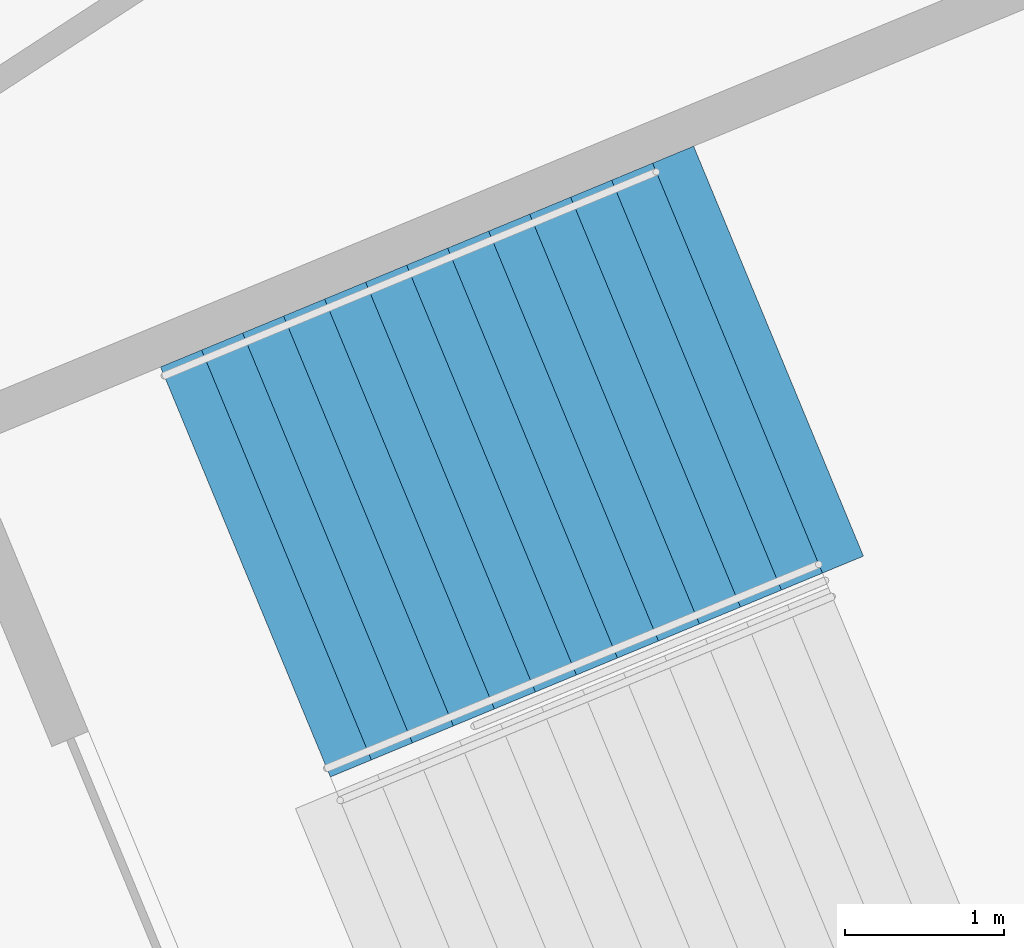
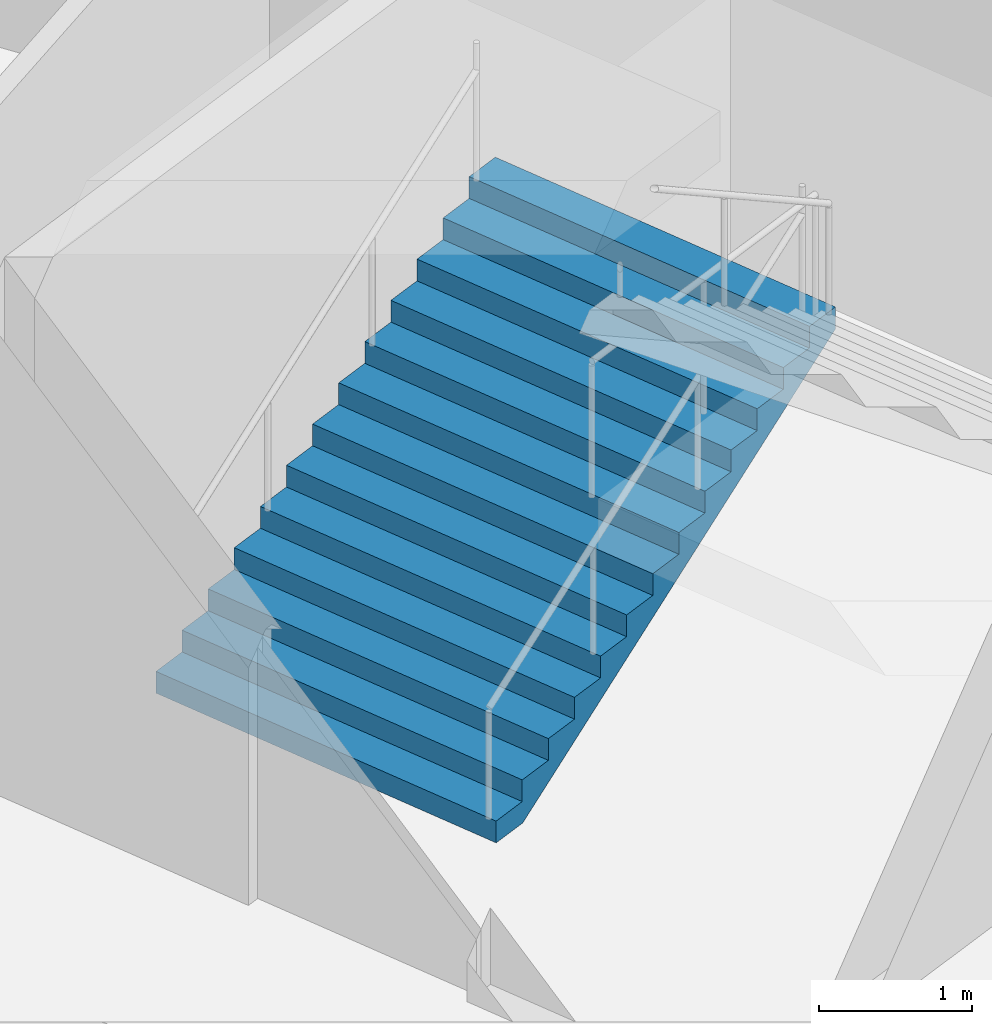
# One storey, part 148 of 175: 1 stair flight, 1 element without a shape of its own.
"""IFC4 building model written with IfcOpenShell, lengths in metres."""

from ifc_helpers import new_model, si_unit, direction, frame, origin, place, context, subcontext, project, spatial, faceted_brep, material, type_object, element, aggregate, save


model = new_model("IFC4")

# Units and contexts
model_context = context("Model", 3, precision=1e-05, world=origin(), true_north=direction((0.0, 1.0)))
body_context = subcontext(model_context, "Body", "Model", "MODEL_VIEW")
ifc_project = project(units=[si_unit("LENGTHUNIT", "METRE"), si_unit("AREAUNIT", "SQUARE_METRE"), si_unit("VOLUMEUNIT", "CUBIC_METRE"), si_unit("PLANEANGLEUNIT", "RADIAN"), si_unit("MASSUNIT", "GRAM", prefix="KILO")], contexts=[model_context])

# Site, building, storey
site_placement = place(None, origin())
site = spatial("IfcSite", under=ifc_project, at=site_placement, CompositionType="ELEMENT")
building_placement = place(site_placement, origin())
building = spatial("IfcBuilding", under=site, at=building_placement, Name="Ogive Plaza Stadium", CompositionType="ELEMENT")
storey_placement = place(building_placement, origin())
storey = spatial("IfcBuildingStorey", under=building, at=storey_placement, Name="L00", CompositionType="ELEMENT", Elevation=0.0)

# Stair, stair flight
ifc_material_1 = material(Name="Concrete C40/50", Category="concrete")
stair_type = type_object("IfcStairType", Name="Exit stair", PredefinedType="STRAIGHT_RUN_STAIR", material=ifc_material_1)
stair_placement = place(storey_placement, origin())
stair = element("IfcStair", 1, at=stair_placement, inside=storey, type_object=stair_type, Name="Exit stair ST40B L00 to L01", PredefinedType="STRAIGHT_RUN_STAIR")
ifc_material_2 = material(Name="Concrete C40/50", Category="concrete")
stair_flight_type = type_object("IfcStairFlightType", Name="Exit stair flight", PredefinedType="STRAIGHT", material=ifc_material_2)
stair_flight_placement = place(storey_placement, frame((71.432861328125, 72.794921875, 0.0), z_axis=(0.0, 0.0, 1.0), x_axis=(0.923879532511, 0.382683432365, 0.0)))
stair_flight = element("IfcStairFlight", 2, at=stair_flight_placement, type_object=stair_flight_type, Name="ST40B flight 1", NumberOfRisers=13, NumberOfTreads=12, PredefinedType="STRAIGHT", RiserHeight=0.173076923, TreadLength=0.28, context=body_context, shape_type="Brep", body=[
    faceted_brep([(0.28515625, -1.39990234375, 0.0), (3.639892578125, -1.39990234375, 2.07373046875), (3.639892578125, -1.39990234375, 2.25), (3.360107421875, -1.39990234375, 2.25), (3.360107421875, -1.39990234375, 2.076904296875), (3.080078125, -1.39990234375, 2.076904296875), (3.080078125, -1.39990234375, 1.90380859375), (2.800048828125, -1.39990234375, 1.90380859375), (2.800048828125, -1.39990234375, 1.730712890625), (2.52001953125, -1.39990234375, 1.730712890625), (2.52001953125, -1.39990234375, 1.5576171875), (2.239990234375, -1.39990234375, 1.5576171875), (2.239990234375, -1.39990234375, 1.384521484375), (1.9599609375, -1.39990234375, 1.384521484375), (1.9599609375, -1.39990234375, 1.21142578125), (1.679931640625, -1.39990234375, 1.21142578125), (1.679931640625, -1.39990234375, 1.03857421875), (1.39990234375, -1.39990234375, 1.03857421875), (1.39990234375, -1.39990234375, 0.865478515625), (1.1201171875, -1.39990234375, 0.865478515625), (1.1201171875, -1.39990234375, 0.6923828125), (0.840087890625, -1.39990234375, 0.6923828125), (0.840087890625, -1.39990234375, 0.519287109375), (0.56005859375, -1.39990234375, 0.519287109375), (0.56005859375, -1.39990234375, 0.34619140625), (0.280029296875, -1.39990234375, 0.34619140625), (0.280029296875, -1.39990234375, 0.173095703125), (0.0, -1.39990234375, 0.173095703125), (0.0, -1.39990234375, 0.0), (0.0, 1.39990234375, 0.0), (0.0, 1.39990234375, 0.173095703125), (0.280029296875, 1.39990234375, 0.173095703125), (0.280029296875, 1.39990234375, 0.34619140625), (0.56005859375, 1.39990234375, 0.34619140625), (0.56005859375, 1.39990234375, 0.519287109375), (0.840087890625, 1.39990234375, 0.519287109375), (0.840087890625, 1.39990234375, 0.6923828125), (1.1201171875, 1.39990234375, 0.6923828125), (1.1201171875, 1.39990234375, 0.865478515625), (1.39990234375, 1.39990234375, 0.865478515625), (1.39990234375, 1.39990234375, 1.03857421875), (1.679931640625, 1.39990234375, 1.03857421875), (1.679931640625, 1.39990234375, 1.21142578125), (1.9599609375, 1.39990234375, 1.21142578125), (1.9599609375, 1.39990234375, 1.384521484375), (2.239990234375, 1.39990234375, 1.384521484375), (2.239990234375, 1.39990234375, 1.5576171875), (2.52001953125, 1.39990234375, 1.5576171875), (2.52001953125, 1.39990234375, 1.730712890625), (2.800048828125, 1.39990234375, 1.730712890625), (2.800048828125, 1.39990234375, 1.90380859375), (3.080078125, 1.39990234375, 1.90380859375), (3.080078125, 1.39990234375, 2.076904296875), (3.360107421875, 1.39990234375, 2.076904296875), (3.360107421875, 1.39990234375, 2.25), (3.639892578125, 1.39990234375, 2.25), (3.639892578125, 1.39990234375, 2.07373046875), (0.28515625, 1.39990234375, 0.0), (0.28515625, -1.0888671875, 0.0), (3.639892578125, -1.0888671875, 2.07373046875), (0.28515625, -0.77783203125, 0.0), (3.639892578125, -0.77783203125, 2.07373046875), (0.28515625, -0.466796875, 0.0), (3.639892578125, -0.466796875, 2.07373046875), (0.28515625, -0.155517578125, 0.0), (3.639892578125, -0.155517578125, 2.07373046875), (0.28515625, 0.155517578125, 0.0), (3.639892578125, 0.155517578125, 2.07373046875), (0.28515625, 0.466796875, 0.0), (3.639892578125, 0.466796875, 2.07373046875), (0.28515625, 0.77783203125, 0.0), (3.639892578125, 0.77783203125, 2.07373046875), (0.28515625, 1.0888671875, 0.0), (3.639892578125, 1.0888671875, 2.07373046875), (3.639892578125, -1.0888671875, 2.25), (3.639892578125, -0.77783203125, 2.25), (3.639892578125, -0.466796875, 2.25), (3.639892578125, -0.155517578125, 2.25), (3.639892578125, 0.155517578125, 2.25), (3.639892578125, 0.466796875, 2.25), (3.639892578125, 0.77783203125, 2.25), (3.639892578125, 1.0888671875, 2.25), (3.360107421875, -1.0888671875, 2.25), (3.360107421875, -0.77783203125, 2.25), (3.360107421875, -0.466796875, 2.25), (3.360107421875, -0.155517578125, 2.25), (3.360107421875, 0.155517578125, 2.25), (3.360107421875, 0.466796875, 2.25), (3.360107421875, 0.77783203125, 2.25), (3.360107421875, 1.0888671875, 2.25), (3.360107421875, -1.0888671875, 2.076904296875), (3.360107421875, -0.77783203125, 2.076904296875), (3.360107421875, -0.466796875, 2.076904296875), (3.360107421875, -0.155517578125, 2.076904296875), (3.360107421875, 0.155517578125, 2.076904296875), (3.360107421875, 0.466796875, 2.076904296875), (3.360107421875, 0.77783203125, 2.076904296875), (3.360107421875, 1.0888671875, 2.076904296875), (3.080078125, -1.0888671875, 2.076904296875), (3.080078125, -0.77783203125, 2.076904296875), (3.080078125, -0.466796875, 2.076904296875), (3.080078125, -0.155517578125, 2.076904296875), (3.080078125, 0.155517578125, 2.076904296875), (3.080078125, 0.466796875, 2.076904296875), (3.080078125, 0.77783203125, 2.076904296875), (3.080078125, 1.0888671875, 2.076904296875), (3.080078125, -1.0888671875, 1.90380859375), (3.080078125, -0.77783203125, 1.90380859375), (3.080078125, -0.466796875, 1.90380859375), (3.080078125, -0.155517578125, 1.90380859375), (3.080078125, 0.155517578125, 1.90380859375), (3.080078125, 0.466796875, 1.90380859375), (3.080078125, 0.77783203125, 1.90380859375), (3.080078125, 1.0888671875, 1.90380859375), (2.800048828125, -1.0888671875, 1.90380859375), (2.800048828125, -0.77783203125, 1.90380859375), (2.800048828125, -0.466796875, 1.90380859375), (2.800048828125, -0.155517578125, 1.90380859375), (2.800048828125, 0.155517578125, 1.90380859375), (2.800048828125, 0.466796875, 1.90380859375), (2.800048828125, 0.77783203125, 1.90380859375), (2.800048828125, 1.0888671875, 1.90380859375), (2.800048828125, -1.0888671875, 1.730712890625), (2.800048828125, -0.77783203125, 1.730712890625), (2.800048828125, -0.466796875, 1.730712890625), (2.800048828125, -0.155517578125, 1.730712890625), (2.800048828125, 0.155517578125, 1.730712890625), (2.800048828125, 0.466796875, 1.730712890625), (2.800048828125, 0.77783203125, 1.730712890625), (2.800048828125, 1.0888671875, 1.730712890625), (2.52001953125, -1.0888671875, 1.730712890625), (2.52001953125, -0.77783203125, 1.730712890625), (2.52001953125, -0.466796875, 1.730712890625), (2.52001953125, -0.155517578125, 1.730712890625), (2.52001953125, 0.155517578125, 1.730712890625), (2.52001953125, 0.466796875, 1.730712890625), (2.52001953125, 0.77783203125, 1.730712890625), (2.52001953125, 1.0888671875, 1.730712890625), (2.52001953125, -1.0888671875, 1.5576171875), (2.52001953125, -0.77783203125, 1.5576171875), (2.52001953125, -0.466796875, 1.5576171875), (2.52001953125, -0.155517578125, 1.5576171875), (2.52001953125, 0.155517578125, 1.5576171875), (2.52001953125, 0.466796875, 1.5576171875), (2.52001953125, 0.77783203125, 1.5576171875), (2.52001953125, 1.0888671875, 1.5576171875), (2.239990234375, -1.0888671875, 1.5576171875), (2.239990234375, -0.77783203125, 1.5576171875), (2.239990234375, -0.466796875, 1.5576171875), (2.239990234375, -0.155517578125, 1.5576171875), (2.239990234375, 0.155517578125, 1.5576171875), (2.239990234375, 0.466796875, 1.5576171875), (2.239990234375, 0.77783203125, 1.5576171875), (2.239990234375, 1.0888671875, 1.5576171875), (2.239990234375, -1.0888671875, 1.384521484375), (2.239990234375, -0.77783203125, 1.384521484375), (2.239990234375, -0.466796875, 1.384521484375), (2.239990234375, -0.155517578125, 1.384521484375), (2.239990234375, 0.155517578125, 1.384521484375), (2.239990234375, 0.466796875, 1.384521484375), (2.239990234375, 0.77783203125, 1.384521484375), (2.239990234375, 1.0888671875, 1.384521484375), (1.9599609375, -1.0888671875, 1.384521484375), (1.9599609375, -0.77783203125, 1.384521484375), (1.9599609375, -0.466796875, 1.384521484375), (1.9599609375, -0.155517578125, 1.384521484375), (1.9599609375, 0.155517578125, 1.384521484375), (1.9599609375, 0.466796875, 1.384521484375), (1.9599609375, 0.77783203125, 1.384521484375), (1.9599609375, 1.0888671875, 1.384521484375), (1.9599609375, -1.0888671875, 1.21142578125), (1.9599609375, -0.77783203125, 1.21142578125), (1.9599609375, -0.466796875, 1.21142578125), (1.9599609375, -0.155517578125, 1.21142578125), (1.9599609375, 0.155517578125, 1.21142578125), (1.9599609375, 0.466796875, 1.21142578125), (1.9599609375, 0.77783203125, 1.21142578125), (1.9599609375, 1.0888671875, 1.21142578125), (1.679931640625, -1.0888671875, 1.21142578125), (1.679931640625, -0.77783203125, 1.21142578125), (1.679931640625, -0.466796875, 1.21142578125), (1.679931640625, -0.155517578125, 1.21142578125), (1.679931640625, 0.155517578125, 1.21142578125), (1.679931640625, 0.466796875, 1.21142578125), (1.679931640625, 0.77783203125, 1.21142578125), (1.679931640625, 1.0888671875, 1.21142578125), (1.679931640625, -1.0888671875, 1.03857421875), (1.679931640625, -0.77783203125, 1.03857421875), (1.679931640625, -0.466796875, 1.03857421875), (1.679931640625, -0.155517578125, 1.03857421875), (1.679931640625, 0.155517578125, 1.03857421875), (1.679931640625, 0.466796875, 1.03857421875), (1.679931640625, 0.77783203125, 1.03857421875), (1.679931640625, 1.0888671875, 1.03857421875), (1.39990234375, -1.0888671875, 1.03857421875), (1.39990234375, -0.77783203125, 1.03857421875), (1.39990234375, -0.466796875, 1.03857421875), (1.39990234375, -0.155517578125, 1.03857421875), (1.39990234375, 0.155517578125, 1.03857421875), (1.39990234375, 0.466796875, 1.03857421875), (1.39990234375, 0.77783203125, 1.03857421875), (1.39990234375, 1.0888671875, 1.03857421875), (1.39990234375, -1.0888671875, 0.865478515625), (1.39990234375, -0.77783203125, 0.865478515625), (1.39990234375, -0.466796875, 0.865478515625), (1.39990234375, -0.155517578125, 0.865478515625), (1.39990234375, 0.155517578125, 0.865478515625), (1.39990234375, 0.466796875, 0.865478515625), (1.39990234375, 0.77783203125, 0.865478515625), (1.39990234375, 1.0888671875, 0.865478515625), (1.1201171875, -1.0888671875, 0.865478515625), (1.1201171875, -0.77783203125, 0.865478515625), (1.1201171875, -0.466796875, 0.865478515625), (1.1201171875, -0.155517578125, 0.865478515625), (1.1201171875, 0.155517578125, 0.865478515625), (1.1201171875, 0.466796875, 0.865478515625), (1.1201171875, 0.77783203125, 0.865478515625), (1.1201171875, 1.0888671875, 0.865478515625), (1.1201171875, -1.0888671875, 0.6923828125), (1.1201171875, -0.77783203125, 0.6923828125), (1.1201171875, -0.466796875, 0.6923828125), (1.1201171875, -0.155517578125, 0.6923828125), (1.1201171875, 0.155517578125, 0.6923828125), (1.1201171875, 0.466796875, 0.6923828125), (1.1201171875, 0.77783203125, 0.6923828125), (1.1201171875, 1.0888671875, 0.6923828125), (0.840087890625, -1.0888671875, 0.6923828125), (0.840087890625, -0.77783203125, 0.6923828125), (0.840087890625, -0.466796875, 0.6923828125), (0.840087890625, -0.155517578125, 0.6923828125), (0.840087890625, 0.155517578125, 0.6923828125), (0.840087890625, 0.466796875, 0.6923828125), (0.840087890625, 0.77783203125, 0.6923828125), (0.840087890625, 1.0888671875, 0.6923828125), (0.840087890625, -1.0888671875, 0.519287109375), (0.840087890625, -0.77783203125, 0.519287109375), (0.840087890625, -0.466796875, 0.519287109375), (0.840087890625, -0.155517578125, 0.519287109375), (0.840087890625, 0.155517578125, 0.519287109375), (0.840087890625, 0.466796875, 0.519287109375), (0.840087890625, 0.77783203125, 0.519287109375), (0.840087890625, 1.0888671875, 0.519287109375), (0.56005859375, -1.0888671875, 0.519287109375), (0.56005859375, -0.77783203125, 0.519287109375), (0.56005859375, -0.466796875, 0.519287109375), (0.56005859375, -0.155517578125, 0.519287109375), (0.56005859375, 0.155517578125, 0.519287109375), (0.56005859375, 0.466796875, 0.519287109375), (0.56005859375, 0.77783203125, 0.519287109375), (0.56005859375, 1.0888671875, 0.519287109375), (0.56005859375, -1.0888671875, 0.34619140625), (0.56005859375, -0.77783203125, 0.34619140625), (0.56005859375, -0.466796875, 0.34619140625), (0.56005859375, -0.155517578125, 0.34619140625), (0.56005859375, 0.155517578125, 0.34619140625), (0.56005859375, 0.466796875, 0.34619140625), (0.56005859375, 0.77783203125, 0.34619140625), (0.56005859375, 1.0888671875, 0.34619140625), (0.280029296875, -1.0888671875, 0.34619140625), (0.280029296875, -0.77783203125, 0.34619140625), (0.280029296875, -0.466796875, 0.34619140625), (0.280029296875, -0.155517578125, 0.34619140625), (0.280029296875, 0.155517578125, 0.34619140625), (0.280029296875, 0.466796875, 0.34619140625), (0.280029296875, 0.77783203125, 0.34619140625), (0.280029296875, 1.0888671875, 0.34619140625), (0.280029296875, -1.0888671875, 0.173095703125), (0.280029296875, -0.77783203125, 0.173095703125), (0.280029296875, -0.466796875, 0.173095703125), (0.280029296875, -0.155517578125, 0.173095703125), (0.280029296875, 0.155517578125, 0.173095703125), (0.280029296875, 0.466796875, 0.173095703125), (0.280029296875, 0.77783203125, 0.173095703125), (0.280029296875, 1.0888671875, 0.173095703125), (0.0, -1.0888671875, 0.173095703125), (0.0, -0.77783203125, 0.173095703125), (0.0, -0.466796875, 0.173095703125), (0.0, -0.155517578125, 0.173095703125), (0.0, 0.155517578125, 0.173095703125), (0.0, 0.466796875, 0.173095703125), (0.0, 0.77783203125, 0.173095703125), (0.0, 1.0888671875, 0.173095703125), (0.0, -1.0888671875, 0.0), (0.0, -0.77783203125, 0.0), (0.0, -0.466796875, 0.0), (0.0, -0.155517578125, 0.0), (0.0, 0.155517578125, 0.0), (0.0, 0.466796875, 0.0), (0.0, 0.77783203125, 0.0), (0.0, 1.0888671875, 0.0)], [[[0, 1, 2, 3, 4, 5, 6, 7, 8, 9, 10, 11, 12, 13, 14, 15, 16, 17, 18, 19, 20, 21, 22, 23, 24, 25, 26, 27, 28]], [[29, 30, 31, 32, 33, 34, 35, 36, 37, 38, 39, 40, 41, 42, 43, 44, 45, 46, 47, 48, 49, 50, 51, 52, 53, 54, 55, 56, 57]], [[0, 58, 59, 1]], [[58, 60, 61, 59]], [[60, 62, 63, 61]], [[62, 64, 65, 63]], [[64, 66, 67, 65]], [[66, 68, 69, 67]], [[68, 70, 71, 69]], [[70, 72, 73, 71]], [[72, 57, 56, 73]], [[1, 59, 74, 2]], [[59, 61, 75, 74]], [[61, 63, 76, 75]], [[63, 65, 77, 76]], [[65, 67, 78, 77]], [[67, 69, 79, 78]], [[69, 71, 80, 79]], [[71, 73, 81, 80]], [[73, 56, 55, 81]], [[2, 74, 82, 3]], [[74, 75, 83, 82]], [[75, 76, 84, 83]], [[76, 77, 85, 84]], [[77, 78, 86, 85]], [[78, 79, 87, 86]], [[79, 80, 88, 87]], [[80, 81, 89, 88]], [[81, 55, 54, 89]], [[3, 82, 90, 4]], [[82, 83, 91, 90]], [[83, 84, 92, 91]], [[84, 85, 93, 92]], [[85, 86, 94, 93]], [[86, 87, 95, 94]], [[87, 88, 96, 95]], [[88, 89, 97, 96]], [[89, 54, 53, 97]], [[4, 90, 98, 5]], [[90, 91, 99, 98]], [[91, 92, 100, 99]], [[92, 93, 101, 100]], [[93, 94, 102, 101]], [[94, 95, 103, 102]], [[95, 96, 104, 103]], [[96, 97, 105, 104]], [[97, 53, 52, 105]], [[5, 98, 106, 6]], [[98, 99, 107, 106]], [[99, 100, 108, 107]], [[100, 101, 109, 108]], [[101, 102, 110, 109]], [[102, 103, 111, 110]], [[103, 104, 112, 111]], [[104, 105, 113, 112]], [[105, 52, 51, 113]], [[6, 106, 114, 7]], [[106, 107, 115, 114]], [[107, 108, 116, 115]], [[108, 109, 117, 116]], [[109, 110, 118, 117]], [[110, 111, 119, 118]], [[111, 112, 120, 119]], [[112, 113, 121, 120]], [[113, 51, 50, 121]], [[7, 114, 122, 8]], [[114, 115, 123, 122]], [[115, 116, 124, 123]], [[116, 117, 125, 124]], [[117, 118, 126, 125]], [[118, 119, 127, 126]], [[119, 120, 128, 127]], [[120, 121, 129, 128]], [[121, 50, 49, 129]], [[8, 122, 130, 9]], [[122, 123, 131, 130]], [[123, 124, 132, 131]], [[124, 125, 133, 132]], [[125, 126, 134, 133]], [[126, 127, 135, 134]], [[127, 128, 136, 135]], [[128, 129, 137, 136]], [[129, 49, 48, 137]], [[9, 130, 138, 10]], [[130, 131, 139, 138]], [[131, 132, 140, 139]], [[132, 133, 141, 140]], [[133, 134, 142, 141]], [[134, 135, 143, 142]], [[135, 136, 144, 143]], [[136, 137, 145, 144]], [[137, 48, 47, 145]], [[10, 138, 146, 11]], [[138, 139, 147, 146]], [[139, 140, 148, 147]], [[140, 141, 149, 148]], [[141, 142, 150, 149]], [[142, 143, 151, 150]], [[143, 144, 152, 151]], [[144, 145, 153, 152]], [[145, 47, 46, 153]], [[11, 146, 154, 12]], [[146, 147, 155, 154]], [[147, 148, 156, 155]], [[148, 149, 157, 156]], [[149, 150, 158, 157]], [[150, 151, 159, 158]], [[151, 152, 160, 159]], [[152, 153, 161, 160]], [[153, 46, 45, 161]], [[12, 154, 162, 13]], [[154, 155, 163, 162]], [[155, 156, 164, 163]], [[156, 157, 165, 164]], [[157, 158, 166, 165]], [[158, 159, 167, 166]], [[159, 160, 168, 167]], [[160, 161, 169, 168]], [[161, 45, 44, 169]], [[13, 162, 170, 14]], [[162, 163, 171, 170]], [[163, 164, 172, 171]], [[164, 165, 173, 172]], [[165, 166, 174, 173]], [[166, 167, 175, 174]], [[167, 168, 176, 175]], [[168, 169, 177, 176]], [[169, 44, 43, 177]], [[14, 170, 178, 15]], [[170, 171, 179, 178]], [[171, 172, 180, 179]], [[172, 173, 181, 180]], [[173, 174, 182, 181]], [[174, 175, 183, 182]], [[175, 176, 184, 183]], [[176, 177, 185, 184]], [[177, 43, 42, 185]], [[15, 178, 186, 16]], [[178, 179, 187, 186]], [[179, 180, 188, 187]], [[180, 181, 189, 188]], [[181, 182, 190, 189]], [[182, 183, 191, 190]], [[183, 184, 192, 191]], [[184, 185, 193, 192]], [[185, 42, 41, 193]], [[16, 186, 194, 17]], [[186, 187, 195, 194]], [[187, 188, 196, 195]], [[188, 189, 197, 196]], [[189, 190, 198, 197]], [[190, 191, 199, 198]], [[191, 192, 200, 199]], [[192, 193, 201, 200]], [[193, 41, 40, 201]], [[17, 194, 202, 18]], [[194, 195, 203, 202]], [[195, 196, 204, 203]], [[196, 197, 205, 204]], [[197, 198, 206, 205]], [[198, 199, 207, 206]], [[199, 200, 208, 207]], [[200, 201, 209, 208]], [[201, 40, 39, 209]], [[18, 202, 210, 19]], [[202, 203, 211, 210]], [[203, 204, 212, 211]], [[204, 205, 213, 212]], [[205, 206, 214, 213]], [[206, 207, 215, 214]], [[207, 208, 216, 215]], [[208, 209, 217, 216]], [[209, 39, 38, 217]], [[19, 210, 218, 20]], [[210, 211, 219, 218]], [[211, 212, 220, 219]], [[212, 213, 221, 220]], [[213, 214, 222, 221]], [[214, 215, 223, 222]], [[215, 216, 224, 223]], [[216, 217, 225, 224]], [[217, 38, 37, 225]], [[20, 218, 226, 21]], [[218, 219, 227, 226]], [[219, 220, 228, 227]], [[220, 221, 229, 228]], [[221, 222, 230, 229]], [[222, 223, 231, 230]], [[223, 224, 232, 231]], [[224, 225, 233, 232]], [[225, 37, 36, 233]], [[21, 226, 234, 22]], [[226, 227, 235, 234]], [[227, 228, 236, 235]], [[228, 229, 237, 236]], [[229, 230, 238, 237]], [[230, 231, 239, 238]], [[231, 232, 240, 239]], [[232, 233, 241, 240]], [[233, 36, 35, 241]], [[22, 234, 242, 23]], [[234, 235, 243, 242]], [[235, 236, 244, 243]], [[236, 237, 245, 244]], [[237, 238, 246, 245]], [[238, 239, 247, 246]], [[239, 240, 248, 247]], [[240, 241, 249, 248]], [[241, 35, 34, 249]], [[23, 242, 250, 24]], [[242, 243, 251, 250]], [[243, 244, 252, 251]], [[244, 245, 253, 252]], [[245, 246, 254, 253]], [[246, 247, 255, 254]], [[247, 248, 256, 255]], [[248, 249, 257, 256]], [[249, 34, 33, 257]], [[24, 250, 258, 25]], [[250, 251, 259, 258]], [[251, 252, 260, 259]], [[252, 253, 261, 260]], [[253, 254, 262, 261]], [[254, 255, 263, 262]], [[255, 256, 264, 263]], [[256, 257, 265, 264]], [[257, 33, 32, 265]], [[25, 258, 266, 26]], [[258, 259, 267, 266]], [[259, 260, 268, 267]], [[260, 261, 269, 268]], [[261, 262, 270, 269]], [[262, 263, 271, 270]], [[263, 264, 272, 271]], [[264, 265, 273, 272]], [[265, 32, 31, 273]], [[26, 266, 274, 27]], [[266, 267, 275, 274]], [[267, 268, 276, 275]], [[268, 269, 277, 276]], [[269, 270, 278, 277]], [[270, 271, 279, 278]], [[271, 272, 280, 279]], [[272, 273, 281, 280]], [[273, 31, 30, 281]], [[27, 274, 282, 28]], [[274, 275, 283, 282]], [[275, 276, 284, 283]], [[276, 277, 285, 284]], [[277, 278, 286, 285]], [[278, 279, 287, 286]], [[279, 280, 288, 287]], [[280, 281, 289, 288]], [[281, 30, 29, 289]], [[28, 282, 58, 0]], [[282, 283, 60, 58]], [[283, 284, 62, 60]], [[284, 285, 64, 62]], [[285, 286, 66, 64]], [[286, 287, 68, 66]], [[287, 288, 70, 68]], [[288, 289, 72, 70]], [[289, 29, 57, 72]]]),
])
aggregate(stair, [stair_flight])

save(model, "model.ifc")
